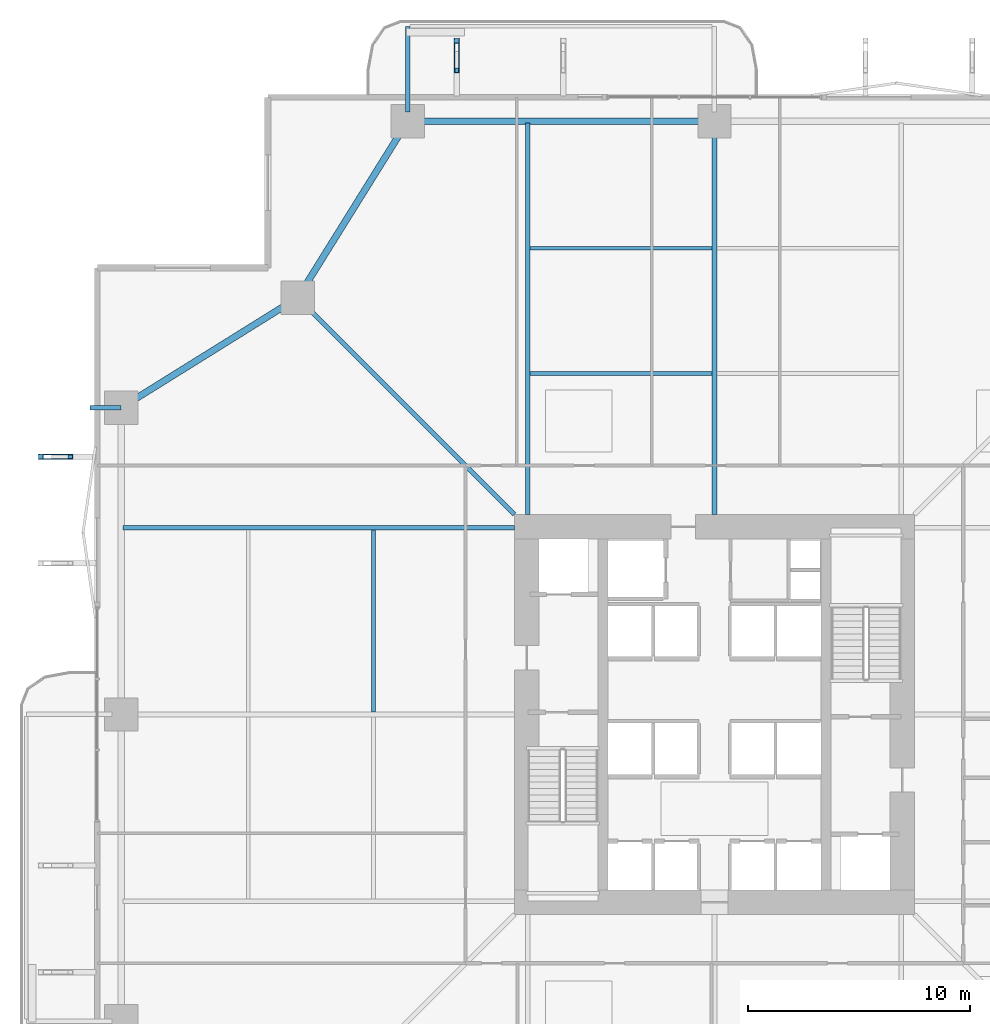
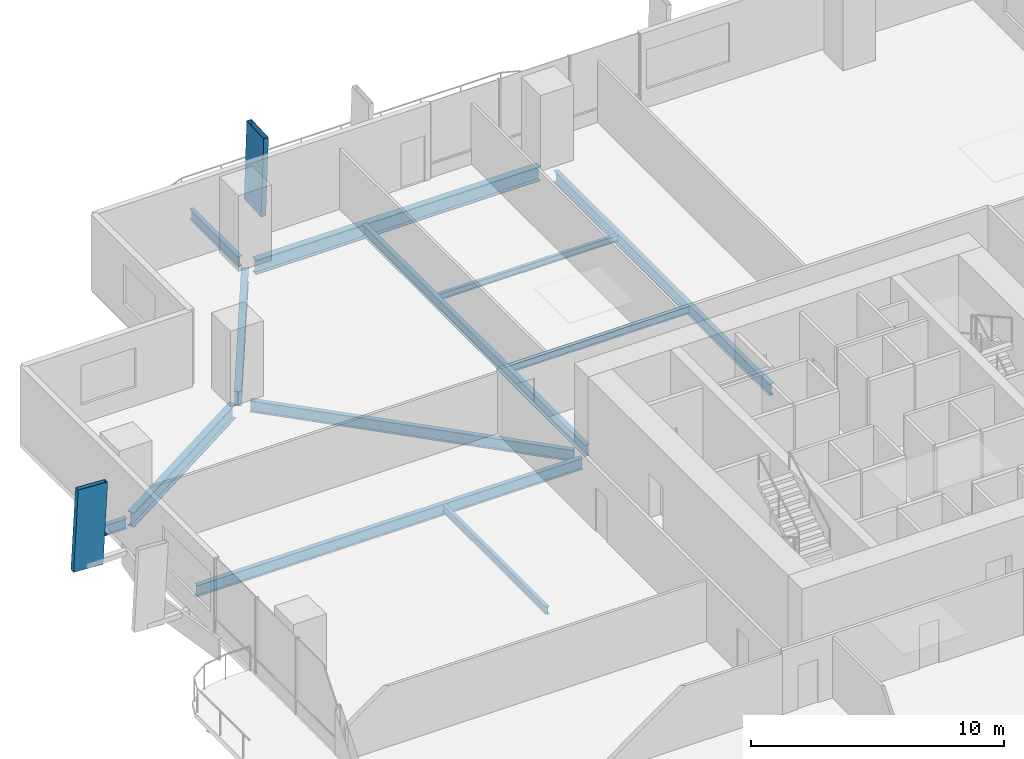
# One storey, part 10 of 24: 12 beams, 2 members.
"""IFC4 building model written with IfcOpenShell, lengths in metres."""

from ifc_helpers import new_model, si_unit, direction, frame, origin, origin_2d, place, context, subcontext, project, spatial, hollow_rectangle, i_section, extrude, material, material_profile, profile_set, type_object, element, save


model = new_model("IFC4")

# Units and contexts
model_context = context("Model", 3, precision=1e-05, world=origin(), true_north=direction((0.0, 1.0)))
body_context = subcontext(model_context, "Body", "Model", "MODEL_VIEW")
ifc_project = project(units=[si_unit("LENGTHUNIT", "METRE"), si_unit("AREAUNIT", "SQUARE_METRE"), si_unit("VOLUMEUNIT", "CUBIC_METRE"), si_unit("PLANEANGLEUNIT", "RADIAN"), si_unit("MASSUNIT", "GRAM", prefix="KILO")], contexts=[model_context])

# Site, building, storey
site_placement = place(None, origin())
site = spatial("IfcSite", under=ifc_project, at=site_placement, CompositionType="ELEMENT")
building_placement = place(site_placement, origin())
building = spatial("IfcBuilding", under=site, at=building_placement, Name="Belovzor Exchange Tower", CompositionType="ELEMENT")
storey_placement = place(building_placement, frame((0.0, 0.0, 61.199951171875)))
storey = spatial("IfcBuildingStorey", under=building, at=storey_placement, Name="L14", CompositionType="ELEMENT", Elevation=61.199951171875)

# Members
ifc_material_1 = material(Name="Extruded Architectural Terracotta on Steel S355 Carrier", Category="masonry")
ifc_material_profile_1 = material_profile(ifc_material_1, hollow_rectangle(XDim=0.219970703125, YDim=1.35009765625, WallThickness=0.013916015625, at=origin_2d()))
ifc_profile_set_1 = profile_set([ifc_material_profile_1], Name="Extruded Architectural Terracotta on Steel S355 Carrier")
member_type = type_object("IfcMemberType", Name="Base Arc Sweeping Terracotta Pylon Fin 1450", PredefinedType="USERDEFINED", material=ifc_profile_set_1)
for number, where, z_axis, x_axis, name in (
    (1, (17.199951171875, 58.549072265625, -0.25), (0.0, -0.053756276307, 0.998554086045), (1.0, 0.0, 0.0), "FIN-TC145 Terracotta Facade Fin L14 N1"),
    (2, (-0.948974609375, 40.39990234375, -0.25), (0.053756276307, 0.0, 0.998554086045), (0.0, 1.0, 0.0), "FIN-TC145 Terracotta Facade Fin L14 W4"),
):
    element("IfcMember", number, at=place(storey_placement, frame(where, z_axis=z_axis, x_axis=x_axis)), inside=storey, type_object=member_type, Name=name, ObjectType="FIN", PredefinedType="USERDEFINED", context=body_context, shape_type="SweptSolid", body=[
        extrude(hollow_rectangle(XDim=0.219970703125, YDim=1.35009765625, WallThickness=0.013916015625, at=origin_2d()), origin(), (0.0, 0.0, 1.0), 3.90576171875),
    ])

# Beams
ifc_material_2 = material(Name="Steel S355", Category="steel")
ifc_material_profile_2 = material_profile(ifc_material_2, i_section(OverallWidth=0.199951171875, OverallDepth=0.5, WebThickness=0.01025390625, FlangeThickness=0.01611328125, at=origin_2d()))
ifc_profile_set_2 = profile_set([ifc_material_profile_2], Name="Steel S355")
beam_type_1 = type_object("IfcBeamType", Name="Planted Balcony Cantilever Beam IPE 500", PredefinedType="BEAM", material=ifc_profile_set_2)
beam_1_placement = place(storey_placement, frame((15.0, 55.9130859375, -0.5), z_axis=(0.0, 1.0, 0.0), x_axis=(-1.0, 0.0, 0.0)))
element("IfcBeam", 3, at=beam_1_placement, inside=storey, type_object=beam_type_1, Name="BC-500 Planted Balcony Cantilever Beam IPE 500", PredefinedType="BEAM", context=body_context, shape_type="SweptSolid", body=[
    extrude(i_section(OverallWidth=0.199951171875, OverallDepth=0.5, WebThickness=0.01025390625, FlangeThickness=0.01611328125, at=origin_2d()), origin(), (0.0, 0.0, 1.0), 3.849853515625),
])
beam_2_placement = place(storey_placement, frame((2.10009765625, 42.60009765625, -0.5), z_axis=(-1.0, 0.0, 0.0), x_axis=(0.0, -1.0, 0.0)))
element("IfcBeam", 4, at=beam_2_placement, inside=storey, type_object=beam_type_1, Name="BC-500 Planted Balcony Cantilever Beam IPE 500", PredefinedType="BEAM", context=body_context, shape_type="SweptSolid", body=[
    extrude(i_section(OverallWidth=0.199951171875, OverallDepth=0.5, WebThickness=0.01025390625, FlangeThickness=0.01611328125, at=origin_2d()), origin(), (0.0, 0.0, 1.0), 1.400146484375),
])
ifc_material_3 = material(Name="Steel S355", Category="steel")
ifc_material_profile_3 = material_profile(ifc_material_3, i_section(OverallWidth=0.169921875, OverallDepth=0.360107421875, WebThickness=0.008056640625, FlangeThickness=0.0126953125, at=origin_2d()))
ifc_profile_set_3 = profile_set([ifc_material_profile_3], Name="Steel S355")
beam_type_2 = type_object("IfcBeamType", Name="Secondary Infill Floor Joist IPE 360", PredefinedType="BEAM", material=ifc_profile_set_3)
beam_3_placement = place(storey_placement, frame((20.5048828125, 44.14501953125, -0.429931640625), z_axis=(1.0, 0.0, 0.0), x_axis=(0.0, 1.0, 0.0)))
element("IfcBeam", 5, at=beam_3_placement, inside=storey, type_object=beam_type_2, Name="FJ-360 Secondary Infill Floor Joist IPE 360", PredefinedType="BEAM", context=body_context, shape_type="SweptSolid", body=[
    extrude(i_section(OverallWidth=0.169921875, OverallDepth=0.360107421875, WebThickness=0.008056640625, FlangeThickness=0.0126953125, at=origin_2d()), origin(), (0.0, 0.0, 1.0), 8.190185546875),
])
beam_4_placement = place(storey_placement, frame((13.455078125, 28.905029296875, -0.429931640625), z_axis=(0.0, 1.0, 0.0), x_axis=(-1.0, 0.0, 0.0)))
element("IfcBeam", 6, at=beam_4_placement, inside=storey, type_object=beam_type_2, Name="FJ-360 Secondary Infill Floor Joist IPE 360", PredefinedType="BEAM", context=body_context, shape_type="SweptSolid", body=[
    extrude(i_section(OverallWidth=0.169921875, OverallDepth=0.360107421875, WebThickness=0.008056640625, FlangeThickness=0.0126953125, at=origin_2d()), origin(), (0.0, 0.0, 1.0), 8.18994140625),
])
ifc_material_4 = material(Name="Steel S355", Category="steel")
ifc_material_profile_4 = material_profile(ifc_material_4, i_section(OverallWidth=0.14990234375, OverallDepth=0.300048828125, WebThickness=0.007080078125, FlangeThickness=0.0107421875, at=origin_2d()))
ifc_profile_set_4 = profile_set([ifc_material_profile_4], Name="Steel S355")
beam_type_3 = type_object("IfcBeamType", Name="Secondary Trim Floor Joist IPE 300", PredefinedType="BEAM", material=ifc_profile_set_4)
beam_5_placement = place(storey_placement, frame((20.5048828125, 49.784912109375, -0.39990234375), z_axis=(1.0, 0.0, 0.0), x_axis=(0.0, 1.0, 0.0)))
element("IfcBeam", 7, at=beam_5_placement, inside=storey, type_object=beam_type_3, Name="FJ-300 Secondary Trim Floor Joist IPE 300", PredefinedType="BEAM", context=body_context, shape_type="SweptSolid", body=[
    extrude(i_section(OverallWidth=0.14990234375, OverallDepth=0.300048828125, WebThickness=0.007080078125, FlangeThickness=0.0107421875, at=origin_2d()), origin(), (0.0, 0.0, 1.0), 8.190185546875),
])
ifc_material_5 = material(Name="Steel S355", Category="steel")
ifc_material_profile_5 = material_profile(ifc_material_5, i_section(OverallWidth=0.300048828125, OverallDepth=0.699951171875, WebThickness=0.01708984375, FlangeThickness=0.031982421875, at=origin_2d()))
ifc_profile_set_5 = profile_set([ifc_material_profile_5], Name="Steel S355")
beam_type_4 = type_object("IfcBeamType", Name="Zone 1 Primary Perimeter Girder HEB 700", PredefinedType="BEAM", material=ifc_profile_set_5)
beam_6_placement = place(storey_placement, frame((28.386962890625, 55.5, -0.599853515625), z_axis=(-1.0, 0.0, 0.0), x_axis=(0.0, -1.0, 0.0)))
element("IfcBeam", 8, at=beam_6_placement, inside=storey, type_object=beam_type_4, Name="FG-Z1 Zone 1 Primary Perimeter Girder HEB 700", PredefinedType="BEAM", context=body_context, shape_type="SweptSolid", body=[
    extrude(i_section(OverallWidth=0.300048828125, OverallDepth=0.699951171875, WebThickness=0.01708984375, FlangeThickness=0.031982421875, at=origin_2d()), origin(), (0.0, 0.0, 1.0), 12.974853515625),
])
for number, where, z_axis, x_axis, name in (
    (9, (14.781982421875, 55.14990234375, -0.599853515625), (-0.528538629686, -0.848909251292, 0.0), (0.848909251292, -0.528538629686, 0.0), "FG-Z1 Zone 1 Primary Perimeter Girder HEB 700"),
    (10, (9.699951171875, 47.33203125, -0.599853515625), (-0.848909251292, -0.528538629686, 0.0), (0.528538629686, -0.848909251292, 0.0), "FG-Z1 Zone 1 Primary Perimeter Girder HEB 700"),
):
    element("IfcBeam", number, at=place(storey_placement, frame(where, z_axis=z_axis, x_axis=x_axis)), inside=storey, type_object=beam_type_4, Name=name, PredefinedType="BEAM", context=body_context, shape_type="SweptSolid", body=[
        extrude(i_section(OverallWidth=0.300048828125, OverallDepth=0.699951171875, WebThickness=0.01708984375, FlangeThickness=0.031982421875, at=origin_2d()), origin(), (0.0, 0.0, 1.0), 8.540283203125),
    ])
ifc_material_6 = material(Name="Steel S355", Category="steel")
ifc_material_profile_6 = material_profile(ifc_material_6, i_section(OverallWidth=0.2099609375, OverallDepth=0.550048828125, WebThickness=0.010986328125, FlangeThickness=0.01708984375, at=origin_2d()))
ifc_profile_set_6 = profile_set([ifc_material_profile_6], Name="Steel S355")
beam_type_5 = type_object("IfcBeamType", Name="Zone 1 Radial Composite Floor Beam IPE 550", PredefinedType="BEAM", material=ifc_profile_set_6)
beam_7_placement = place(storey_placement, frame((20.39990234375, 37.800048828125, -0.52490234375), z_axis=(0.0, 1.0, 0.0), x_axis=(-1.0, 0.0, 0.0)))
element("IfcBeam", 11, at=beam_7_placement, inside=storey, type_object=beam_type_5, Name="FB-550 Zone 1 Radial Composite Floor Beam IPE 550", PredefinedType="BEAM", context=body_context, shape_type="SweptSolid", body=[
    extrude(i_section(OverallWidth=0.2099609375, OverallDepth=0.550048828125, WebThickness=0.010986328125, FlangeThickness=0.01708984375, at=origin_2d()), origin(), (0.0, 0.0, 1.0), 17.625),
])
beam_8_placement = place(storey_placement, frame((28.800048828125, 37.800048828125, -0.52490234375), z_axis=(0.0, 1.0, 0.0), x_axis=(-1.0, 0.0, 0.0)))
element("IfcBeam", 12, at=beam_8_placement, inside=storey, type_object=beam_type_5, Name="FB-550 Zone 1 Radial Composite Floor Beam IPE 550", PredefinedType="BEAM", context=body_context, shape_type="SweptSolid", body=[
    extrude(i_section(OverallWidth=0.2099609375, OverallDepth=0.550048828125, WebThickness=0.010986328125, FlangeThickness=0.01708984375, at=origin_2d()), origin(), (0.0, 0.0, 1.0), 17.0400390625),
])
beam_9_placement = place(storey_placement, frame((19.800048828125, 37.199951171875, -0.52490234375), z_axis=(-1.0, 0.0, 0.0), x_axis=(0.0, -1.0, 0.0)))
element("IfcBeam", 13, at=beam_9_placement, inside=storey, type_object=beam_type_5, Name="FB-550 Zone 1 Radial Composite Floor Beam IPE 550", PredefinedType="BEAM", context=body_context, shape_type="SweptSolid", body=[
    extrude(i_section(OverallWidth=0.2099609375, OverallDepth=0.550048828125, WebThickness=0.010986328125, FlangeThickness=0.01708984375, at=origin_2d()), origin(), (0.0, 0.0, 1.0), 17.625),
])
beam_10_placement = place(storey_placement, frame((19.800048828125, 37.800048828125, -0.52490234375), z_axis=(-0.707106781187, 0.707106781187, 0.0), x_axis=(-0.707106781187, -0.707106781187, 0.0)))
element("IfcBeam", 14, at=beam_10_placement, inside=storey, type_object=beam_type_5, Name="FB-550 Zone 1 Radial Composite Floor Beam IPE 550", PredefinedType="BEAM", context=body_context, shape_type="SweptSolid", body=[
    extrude(i_section(OverallWidth=0.2099609375, OverallDepth=0.550048828125, WebThickness=0.010986328125, FlangeThickness=0.01708984375, at=origin_2d()), origin(), (0.0, 0.0, 1.0), 13.25830078125),
])

save(model, "model.ifc")
